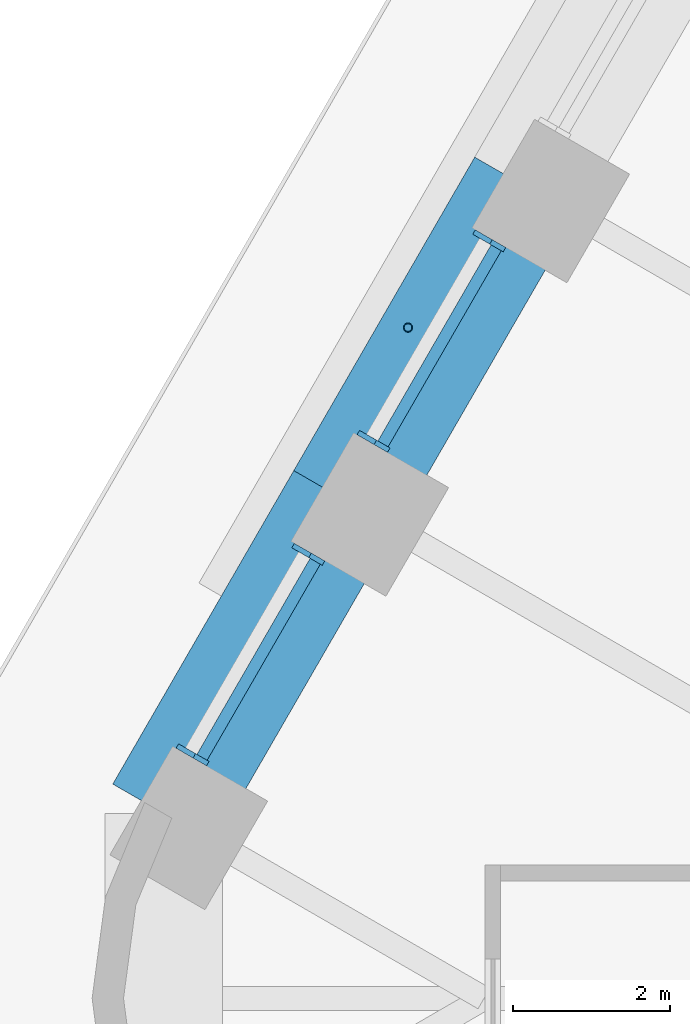
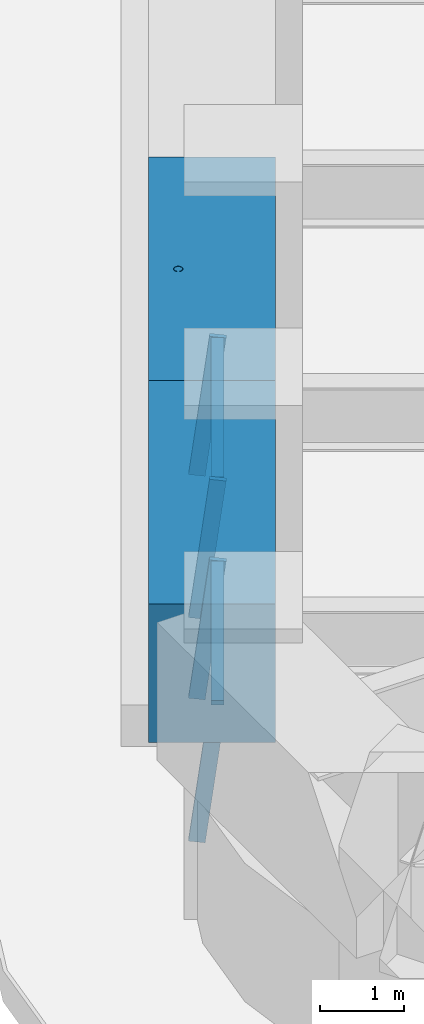
# One storey, part 6 of 20: 7 members, 2 beams, 2 elements without a shape of their own.
"""IFC4 building model written with IfcOpenShell, lengths in metres."""

from ifc_helpers import new_model, si_unit, direction, frame, origin, origin_2d, place, context, subcontext, project, spatial, rectangle, hollow_circle, extrude, material, material_profile, profile_set, type_object, element, aggregate, save


model = new_model("IFC4")

# Units and contexts
model_context = context("Model", 3, precision=1e-05, world=origin(), true_north=direction((0.0, 1.0)))
body_context = subcontext(model_context, "Body", "Model", "MODEL_VIEW")
ifc_project = project(units=[si_unit("LENGTHUNIT", "METRE"), si_unit("AREAUNIT", "SQUARE_METRE"), si_unit("VOLUMEUNIT", "CUBIC_METRE"), si_unit("PLANEANGLEUNIT", "RADIAN"), si_unit("MASSUNIT", "GRAM", prefix="KILO")], contexts=[model_context])

# Site, building, storey
site_placement = place(None, origin())
site = spatial("IfcSite", under=ifc_project, at=site_placement, CompositionType="ELEMENT")
building_placement = place(site_placement, origin())
building = spatial("IfcBuilding", under=site, at=building_placement, Name="Tarfa Lantern Tower", CompositionType="ELEMENT")
storey_placement = place(building_placement, frame((0.0, 0.0, 228.10009765625)))
storey = spatial("IfcBuildingStorey", under=building, at=storey_placement, Name="L51", CompositionType="ELEMENT", Elevation=228.10009765625)

# Curtain wall, members
ifc_material_1 = material(Name="Aluminium framed curtain wall", Category="aluminium")
curtain_wall_type = type_object("IfcCurtainWallType", Name="CW3 CANTED GLAZING HIGH ZONE 2000", PredefinedType="USERDEFINED", material=ifc_material_1)
curtain_wall_1_placement = place(storey_placement, origin())
curtain_wall_1 = element("IfcCurtainWall", 1, at=curtain_wall_1_placement, inside=storey, type_object=curtain_wall_type, Name="CW3 NW L51", ObjectType="CURTAIN WALL", PredefinedType="USERDEFINED")
ifc_material_2 = material(Name="Aluminium mullion", Category="aluminium")
ifc_material_profile_1 = material_profile(ifc_material_2, rectangle(XDim=0.06494140625, YDim=0.199951171875, at=origin_2d()), Name="AL MULLION 65x200")
ifc_profile_set_1 = profile_set([ifc_material_profile_1], Name="Aluminium mullion")
member_type_1 = type_object("IfcMemberType", Name="CWM1 MULLION 65x200", PredefinedType="MULLION", material=ifc_profile_set_1)
member_1_placement = place(storey_placement, frame((-27.75390625, 9.72900390625, 0.0), z_axis=(0.107439978116, -0.062017213975, 0.992275423596), x_axis=(0.499919672301, 0.866071776036, 0.0)))
member_1 = element("IfcMember", 2, at=member_1_placement, type_object=member_type_1, Name="CW3 mullion 1", PredefinedType="MULLION", context=body_context, shape_type="SweptSolid", body=[
    extrude(rectangle(XDim=0.06494140625, YDim=0.199951171875, at=origin_2d()), origin(), (0.0, 0.0, 1.0), 2.015625),
])
member_2_placement = place(storey_placement, frame((-29.230712890625, 7.1708984375, 0.0), z_axis=(0.107439978116, -0.062017213975, 0.992275423596), x_axis=(0.499919672301, 0.866071776036, 0.0)))
member_2 = element("IfcMember", 3, at=member_2_placement, type_object=member_type_1, Name="CW3 mullion 2", PredefinedType="MULLION", context=body_context, shape_type="SweptSolid", body=[
    extrude(rectangle(XDim=0.06494140625, YDim=0.199951171875, at=origin_2d()), origin(), (0.0, 0.0, 1.0), 2.015625),
])

curtain_wall_2_placement = place(storey_placement, origin())
curtain_wall_2 = element("IfcCurtainWall", 4, at=curtain_wall_2_placement, inside=storey, type_object=curtain_wall_type, Name="CW3 NW L51", ObjectType="CURTAIN WALL", PredefinedType="USERDEFINED")
member_3_placement = place(storey_placement, frame((-30.063232421875, 5.72900390625, 0.0), z_axis=(0.107439978116, -0.062017213975, 0.992275423596), x_axis=(0.499919672301, 0.866071776036, 0.0)))
member_3 = element("IfcMember", 5, at=member_3_placement, type_object=member_type_1, Name="CW3 mullion 1", PredefinedType="MULLION", context=body_context, shape_type="SweptSolid", body=[
    extrude(rectangle(XDim=0.06494140625, YDim=0.199951171875, at=origin_2d()), origin(), (0.0, 0.0, 1.0), 2.015625),
])
member_4_placement = place(storey_placement, frame((-31.5400390625, 3.1708984375, 0.0), z_axis=(0.107439978116, -0.062017213975, 0.992275423596), x_axis=(0.499919672301, 0.866071776036, 0.0)))
member_4 = element("IfcMember", 6, at=member_4_placement, type_object=member_type_1, Name="CW3 mullion 2", PredefinedType="MULLION", context=body_context, shape_type="SweptSolid", body=[
    extrude(rectangle(XDim=0.06494140625, YDim=0.199951171875, at=origin_2d()), origin(), (0.0, 0.0, 1.0), 2.015625),
])

# Member
ifc_material_3 = material(Name="Aluminium transom", Category="aluminium")
ifc_material_profile_2 = material_profile(ifc_material_3, rectangle(XDim=0.14990234375, YDim=0.06494140625, at=origin_2d()), Name="AL TRANSOM 150x65")
ifc_profile_set_2 = profile_set([ifc_material_profile_2], Name="Aluminium transom")
member_type_2 = type_object("IfcMemberType", Name="CWT1 TRANSOM 150x65", PredefinedType="USERDEFINED", material=ifc_profile_set_2)
member_5_placement = place(storey_placement, frame((-27.55712890625, 9.577880859375, 1.96728515625), z_axis=(-0.499993141028, -0.866029363778, 0.0), x_axis=(0.866029363778, -0.499993141028, 0.0)))
member_5 = element("IfcMember", 7, at=member_5_placement, type_object=member_type_2, Name="CW3 transom 1.2", ObjectType="TRANSOM", PredefinedType="USERDEFINED", context=body_context, shape_type="SweptSolid", body=[
    extrude(rectangle(XDim=0.14990234375, YDim=0.06494140625, at=origin_2d()), origin(), (0.0, 0.0, 1.0), 2.888671875),
])

aggregate(curtain_wall_1, [member_1, member_2, member_5])

member_6_placement = place(storey_placement, frame((-29.866455078125, 5.577880859375, 1.96728515625), z_axis=(-0.499993141028, -0.866029363778, 0.0), x_axis=(0.866029363778, -0.499993141028, 0.0)))
member_6 = element("IfcMember", 8, at=member_6_placement, type_object=member_type_2, Name="CW3 transom 1.2", ObjectType="TRANSOM", PredefinedType="USERDEFINED", context=body_context, shape_type="SweptSolid", body=[
    extrude(rectangle(XDim=0.14990234375, YDim=0.06494140625, at=origin_2d()), origin(), (0.0, 0.0, 1.0), 2.888671875),
])

aggregate(curtain_wall_2, [member_3, member_4, member_6])

# Beams
ifc_material_4 = material(Name="Concrete C80/95", Category="concrete")
ifc_material_profile_3 = material_profile(ifc_material_4, rectangle(XDim=1.5, YDim=2.0, at=origin_2d()), Name="RC 1500x2000")
ifc_profile_set_3 = profile_set([ifc_material_profile_3], Name="Concrete C80/95")
beam_type = type_object("IfcBeamType", Name="RB3 RC 1500x2000", PredefinedType="BEAM", material=ifc_profile_set_3)
beam_1_placement = place(storey_placement, frame((-27.181640625, 10.360107421875, 3.0), z_axis=(-0.499987836815, -0.866032426089, 0.0), x_axis=(0.866032426089, -0.499987836815, 0.0)))
element("IfcBeam", 9, at=beam_1_placement, inside=storey, type_object=beam_type, Name="Edge beam NW4", PredefinedType="BEAM", context=body_context, shape_type="SweptSolid", body=[
    extrude(rectangle(XDim=1.5, YDim=2.0, at=origin_2d()), origin(), (0.0, 0.0, 1.0), 4.61865234375),
])
beam_2_placement = place(storey_placement, frame((-29.490966796875, 6.360107421875, 3.0), z_axis=(-0.500027479704, -0.866009537788, 0.0), x_axis=(0.866009537788, -0.500027479704, 0.0)))
element("IfcBeam", 10, at=beam_2_placement, inside=storey, type_object=beam_type, Name="Edge beam NW5", PredefinedType="BEAM", context=body_context, shape_type="SweptSolid", body=[
    extrude(rectangle(XDim=1.5, YDim=2.0, at=origin_2d()), origin(), (0.0, 0.0, 1.0), 4.618896484375),
])

# Member
ifc_material_5 = material(Name="Steel S355", Category="steel")
ifc_material_profile_4 = material_profile(ifc_material_5, hollow_circle(Radius=0.05712890625, WallThickness=0.00634765625, at=origin_2d()), Name="CHS114.3x6.3")
ifc_profile_set_4 = profile_set([ifc_material_profile_4], Name="Steel S355")
member_type_3 = type_object("IfcMemberType", Name="TR1 GREEN WALL TRELLIS CHS114.3x6.3", PredefinedType="USERDEFINED", material=ifc_profile_set_4)
member_7_placement = place(storey_placement, frame((-28.682861328125, 8.56005859375, 0.0), z_axis=(0.0, 0.0, 1.0), x_axis=(1.0, 0.0, 0.0)))
element("IfcMember", 11, at=member_7_placement, inside=storey, type_object=member_type_3, Name="Trellis post NW 2", ObjectType="TRELLIS", PredefinedType="USERDEFINED", context=body_context, shape_type="SweptSolid", body=[
    extrude(hollow_circle(Radius=0.05712890625, WallThickness=0.00634765625, at=origin_2d()), origin(), (0.0, 0.0, 1.0), 4.0),
])

save(model, "model.ifc")
